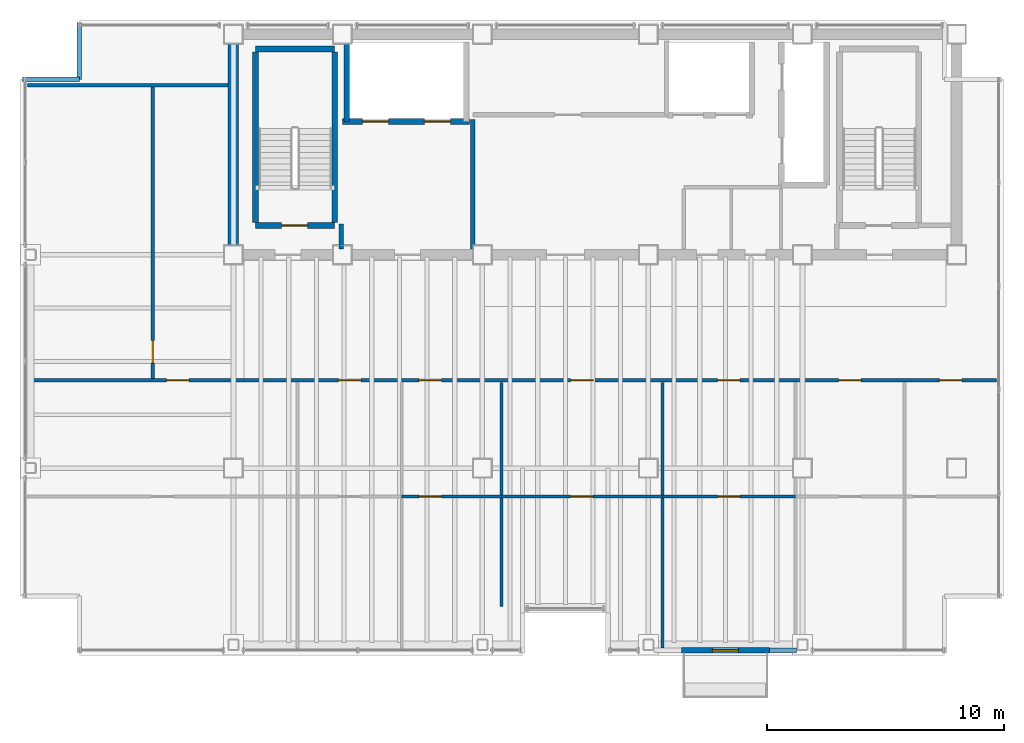
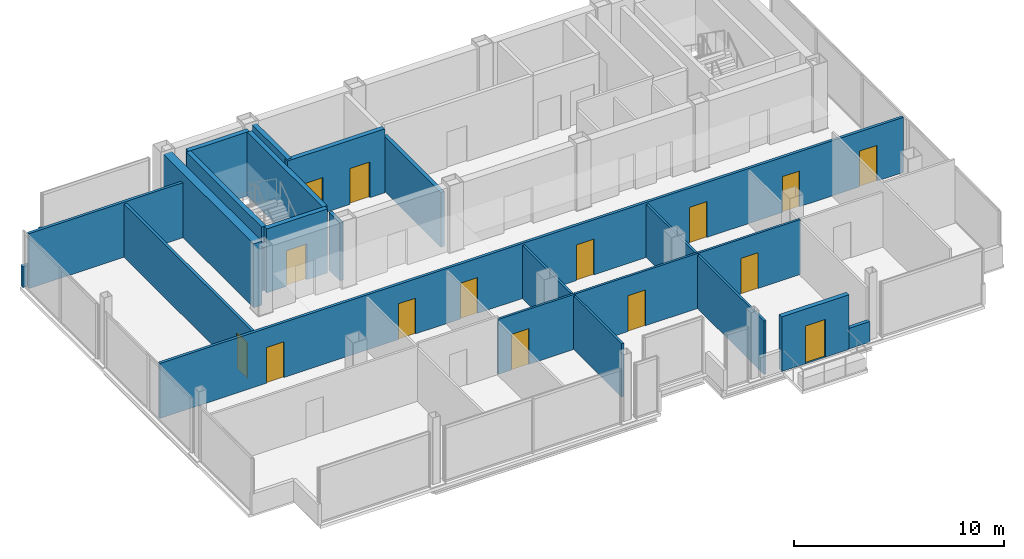
# One storey, part 14 of 17: 21 walls, 15 doors, 15 openings.
"""IFC4 building model written with IfcOpenShell, lengths in metres."""

from ifc_helpers import new_model, si_unit, direction, frame, frame_2d, origin, place, context, subcontext, project, spatial, rectangle, extrude, material, layer, layer_set, type_object, element, fill, save


model = new_model("IFC4")

# Units and contexts
model_context = context("Model", 3, precision=1e-05, world=origin(), true_north=direction((0.0, 1.0)))
body_context = subcontext(model_context, "Body", "Model", "MODEL_VIEW")
ifc_project = project(units=[si_unit("LENGTHUNIT", "METRE"), si_unit("AREAUNIT", "SQUARE_METRE"), si_unit("VOLUMEUNIT", "CUBIC_METRE"), si_unit("PLANEANGLEUNIT", "RADIAN"), si_unit("MASSUNIT", "GRAM", prefix="KILO")], contexts=[model_context])

# Site, building, storey
site_placement = place(None, origin())
site = spatial("IfcSite", under=ifc_project, at=site_placement, CompositionType="ELEMENT")
building_placement = place(site_placement, origin())
building = spatial("IfcBuilding", under=site, at=building_placement, Name="Noeulbin Bourse Tower", CompositionType="ELEMENT")
storey_placement = place(building_placement, frame((0.0, 0.0, 242.300048828125)))
storey = spatial("IfcBuildingStorey", under=building, at=storey_placement, Name="L60", CompositionType="ELEMENT", Elevation=242.300048828125)

# Wall
ifc_material_1 = material(Name="Concrete C50/60", Category="concrete")
ifc_layer_1 = layer(ifc_material_1, 0.449951171875)
ifc_layer_set_1 = layer_set([ifc_layer_1], Name="Concrete C50/60")
wall_type_1 = type_object("IfcWallType", Name="WAL-CORE-450", PredefinedType="SHEAR", material=ifc_layer_set_1)
wall_1_placement = place(storey_placement, frame((13.5, 29.35009765625, 0.0), z_axis=(0.0, 0.0, 1.0), x_axis=(0.0, 1.0, 0.0)))
element("IfcWall", 1, at=wall_1_placement, inside=storey, type_object=wall_type_1, Name="Rear Core West Shear Wall L60", PredefinedType="SHEAR", context=body_context, shape_type="SweptSolid", body=[
    extrude(rectangle(XDim=8.599853515625, YDim=0.449951171875, at=frame_2d((4.2998046875, 0.0))), origin(), (0.0, 0.0, 1.0), 3.719970703125),
])

# Wall, opening, door
ifc_material_2 = material(Name="Precast Concrete C40/50", Category="concrete")
ifc_layer_2 = layer(ifc_material_2, 0.25)
ifc_layer_set_2 = layer_set([ifc_layer_2], Name="Precast Concrete C40/50")
wall_type_2 = type_object("IfcWallType", Name="WAL-EXT-250", PredefinedType="STANDARD", material=ifc_layer_set_2)
wall_2_placement = place(storey_placement, frame((32.39990234375, 12.320068359375, 0.0), z_axis=(0.0, 0.0, 1.0), x_axis=(1.0, 0.0, 0.0)))
wall_2 = element("IfcWall", 2, at=wall_2_placement, inside=storey, type_object=wall_type_2, Name="Balcony Threshold Wall L60", PredefinedType="STANDARD", context=body_context, shape_type="SweptSolid", body=[
    extrude(rectangle(XDim=3.7001953125, YDim=0.25, at=frame_2d((1.85009765625, 0.0))), origin(), (0.0, 0.0, 1.0), 3.179931640625),
])
opening_1_placement = place(wall_2_placement, frame((1.300048828125, 0.0, 0.0)))
opening_1 = element("IfcOpeningElement", 3, at=opening_1_placement, cuts=wall_2, Name="Opening BD-11", PredefinedType="OPENING", context=body_context, shape_type="SweptSolid", body=[
    extrude(rectangle(XDim=1.10009765625, YDim=2.199951171875, at=frame_2d((0.550048828125, 1.10009765625))), frame((0.0, 0.135009765625, 0.0), z_axis=(0.0, -1.0, 0.0), x_axis=(1.0, 0.0, 0.0)), (0.0, 0.0, 1.0), 0.27001953125),
])
ifc_material_3 = material(Name="Thermally Broken Aluminium Framed Glass", Category="aluminium")
door_type_1 = type_object("IfcDoorType", Name="DR-BAL-1100", OperationType="SINGLE_SWING_LEFT", PredefinedType="DOOR", material=ifc_material_3)
door_1_placement = place(opening_1_placement, origin())
door_1 = element("IfcDoor", 4, at=door_1_placement, inside=storey, type_object=door_type_1, Name="Tree-Balcony Access Door BD-L60", OperationType="SINGLE_SWING_RIGHT", OverallHeight=2.199951171875, OverallWidth=1.10009765625, PredefinedType="DOOR", context=body_context, shape_type="SweptSolid", body=[
    extrude(rectangle(XDim=1.10009765625, YDim=2.199951171875, at=frame_2d((0.550048828125, 1.10009765625))), frame((0.0, 0.02490234375, 0.0), z_axis=(0.0, -1.0, 0.0), x_axis=(1.0, 0.0, 0.0)), (0.0, 0.0, 1.0), 0.050048828125),
])
fill(opening_1, door_1)

# Walls
ifc_material_4 = material(Name="Concrete C40/50", Category="concrete")
ifc_layer_3 = layer(ifc_material_4, 0.199951171875)
ifc_layer_set_3 = layer_set([ifc_layer_3], Name="Concrete C40/50")
wall_type_3 = type_object("IfcWallType", Name="WAL-FIRE-200", PredefinedType="STANDARD", material=ifc_layer_set_3)
wall_3_placement = place(storey_placement, frame((18.050048828125, 29.235107421875, 0.0), z_axis=(0.0, 0.0, 1.0), x_axis=(0.0, 1.0, 0.0)))
element("IfcWall", 5, at=wall_3_placement, inside=storey, type_object=wall_type_3, Name="Interior Partition Wall L60-13", PredefinedType="STANDARD", context=body_context, shape_type="SweptSolid", body=[
    extrude(rectangle(XDim=1.06494140625, YDim=0.199951171875, at=frame_2d((0.532470703125, 0.0))), origin(), (0.0, 0.0, 1.0), 3.349853515625),
])
wall_4_placement = place(storey_placement, frame((23.60009765625, 29.235107421875, 0.0), z_axis=(0.0, 0.0, 1.0), x_axis=(0.0, 1.0, 0.0)))
element("IfcWall", 6, at=wall_4_placement, inside=storey, type_object=wall_type_3, Name="Interior Partition Wall L60-15", PredefinedType="STANDARD", context=body_context, shape_type="SweptSolid", body=[
    extrude(rectangle(XDim=5.46484375, YDim=0.199951171875, at=frame_2d((2.732421875, 0.0))), origin(), (0.0, 0.0, 1.0), 3.199951171875),
])
ifc_layer_4 = layer(ifc_material_4, 0.199951171875)
ifc_layer_set_4 = layer_set([ifc_layer_4], Name="Concrete C40/50")
wall_type_4 = type_object("IfcWallType", Name="WAL-PAR-200", PredefinedType="PARAPET", material=ifc_layer_set_4)
wall_5_placement = place(storey_placement, frame((36.10009765625, 12.320068359375, 0.0), z_axis=(0.0, 0.0, 1.0), x_axis=(1.0, 0.0, 0.0)))
element("IfcWall", 7, at=wall_5_placement, inside=storey, type_object=wall_type_4, Name="Perimeter Pier Spandrel Parapet L60-S2", PredefinedType="PARAPET", context=body_context, shape_type="SweptSolid", body=[
    extrude(rectangle(XDim=1.15478515625, YDim=0.199951171875, at=frame_2d((0.577392578125, 0.0))), origin(), (0.0, 0.0, 1.0), 1.199951171875),
])
wall_6_placement = place(storey_placement, frame((4.60009765625, 36.39990234375, 0.0), z_axis=(0.0, 0.0, 1.0), x_axis=(1.0, 0.0, 0.0)))
element("IfcWall", 8, at=wall_6_placement, inside=storey, type_object=wall_type_4, Name="Corner Notch Parapet L60-NW1", PredefinedType="PARAPET", context=body_context, shape_type="SweptSolid", body=[
    extrude(rectangle(XDim=2.39990234375, YDim=0.199951171875, at=frame_2d((1.199951171875, 0.0))), origin(), (0.0, 0.0, 1.0), 1.199951171875),
])
wall_7_placement = place(storey_placement, frame((7.0, 36.39990234375, 0.0), z_axis=(0.0, 0.0, 1.0), x_axis=(0.0, 1.0, 0.0)))
element("IfcWall", 9, at=wall_7_placement, inside=storey, type_object=wall_type_4, Name="Corner Notch Parapet L60-NW2", PredefinedType="PARAPET", context=body_context, shape_type="SweptSolid", body=[
    extrude(rectangle(XDim=2.400146484375, YDim=0.199951171875, at=frame_2d((1.2001953125, 0.0))), origin(), (0.0, 0.0, 1.0), 1.199951171875),
])

# Wall, opening, door
ifc_material_5 = material(Name="Steel Stud Gypsum Partition", Category="steel")
ifc_layer_5 = layer(ifc_material_5, 0.1201171875)
ifc_layer_set_5 = layer_set([ifc_layer_5], Name="Steel Stud Gypsum Partition")
wall_type_5 = type_object("IfcWallType", Name="WAL-PRT-120", PredefinedType="PARTITIONING", material=ifc_layer_set_5)
wall_8_placement = place(storey_placement, frame((20.60009765625, 18.800048828125, 0.0), z_axis=(0.0, 0.0, 1.0), x_axis=(1.0, 0.0, 0.0)))
wall_8 = element("IfcWall", 10, at=wall_8_placement, inside=storey, type_object=wall_type_5, Name="Interior Partition Wall L60-08", PredefinedType="PARTITIONING", context=body_context, shape_type="SweptSolid", body=[
    extrude(rectangle(XDim=4.199951171875, YDim=0.1201171875, at=frame_2d((2.10009765625, 0.0))), origin(), (0.0, 0.0, 1.0), 3.199951171875),
])
opening_2_placement = place(wall_8_placement, frame((0.72509765625, 0.0, 0.0)))
opening_2 = element("IfcOpeningElement", 11, at=opening_2_placement, cuts=wall_8, Name="Opening ID-09", PredefinedType="OPENING", context=body_context, shape_type="SweptSolid", body=[
    extrude(rectangle(XDim=0.949951171875, YDim=2.080078125, at=frame_2d((0.47509765625, 1.0400390625))), frame((0.0, 0.070068359375, 0.0), z_axis=(0.0, -1.0, 0.0), x_axis=(1.0, 0.0, 0.0)), (0.0, 0.0, 1.0), 0.14013671875),
])
ifc_material_6 = material(Name="Acoustic Solid-Core Timber", Category="wood")
door_type_2 = type_object("IfcDoorType", Name="DR-SINGLE-950", OperationType="SINGLE_SWING_LEFT", PredefinedType="DOOR", material=ifc_material_6)
door_2_placement = place(opening_2_placement, origin())
door_2 = element("IfcDoor", 12, at=door_2_placement, inside=storey, type_object=door_type_2, Name="Interior Door L60-12", OperationType="SINGLE_SWING_RIGHT", OverallHeight=2.080078125, OverallWidth=0.949951171875, PredefinedType="DOOR", context=body_context, shape_type="SweptSolid", body=[
    extrude(rectangle(XDim=0.949951171875, YDim=2.080078125, at=frame_2d((0.47509765625, 1.0400390625))), frame((0.0, 0.02490234375, 0.0), z_axis=(0.0, -1.0, 0.0), x_axis=(1.0, 0.0, 0.0)), (0.0, 0.0, 1.0), 0.050048828125),
])
fill(opening_2, door_2)

wall_9_placement = place(storey_placement, frame((24.800048828125, 18.800048828125, 0.0), z_axis=(0.0, 0.0, 1.0), x_axis=(1.0, 0.0, 0.0)))
wall_9 = element("IfcWall", 13, at=wall_9_placement, inside=storey, type_object=wall_type_5, Name="Interior Partition Wall L60-09", PredefinedType="PARTITIONING", context=body_context, shape_type="SweptSolid", body=[
    extrude(rectangle(XDim=6.800048828125, YDim=0.1201171875, at=frame_2d((3.39990234375, 0.0))), origin(), (0.0, 0.0, 1.0), 3.199951171875),
])
opening_3_placement = place(wall_9_placement, frame((2.925048828125, 0.0, 0.0)))
opening_3 = element("IfcOpeningElement", 14, at=opening_3_placement, cuts=wall_9, Name="Opening ID-09", PredefinedType="OPENING", context=body_context, shape_type="SweptSolid", body=[
    extrude(rectangle(XDim=0.949951171875, YDim=2.080078125, at=frame_2d((0.47509765625, 1.0400390625))), frame((0.0, 0.070068359375, 0.0), z_axis=(0.0, -1.0, 0.0), x_axis=(1.0, 0.0, 0.0)), (0.0, 0.0, 1.0), 0.14013671875),
])
door_3_placement = place(opening_3_placement, origin())
door_3 = element("IfcDoor", 15, at=door_3_placement, inside=storey, type_object=door_type_2, Name="Interior Door L60-14", OperationType="SINGLE_SWING_RIGHT", OverallHeight=2.080078125, OverallWidth=0.949951171875, PredefinedType="DOOR", context=body_context, shape_type="SweptSolid", body=[
    extrude(rectangle(XDim=0.949951171875, YDim=2.080078125, at=frame_2d((0.47509765625, 1.0400390625))), frame((0.0, 0.02490234375, 0.0), z_axis=(0.0, -1.0, 0.0), x_axis=(1.0, 0.0, 0.0)), (0.0, 0.0, 1.0), 0.050048828125),
])
fill(opening_3, door_3)

wall_10_placement = place(storey_placement, frame((31.60009765625, 18.800048828125, 0.0), z_axis=(0.0, 0.0, 1.0), x_axis=(1.0, 0.0, 0.0)))
wall_10 = element("IfcWall", 16, at=wall_10_placement, inside=storey, type_object=wall_type_5, Name="Interior Partition Wall L60-10", PredefinedType="PARTITIONING", context=body_context, shape_type="SweptSolid", body=[
    extrude(rectangle(XDim=5.599853515625, YDim=0.1201171875, at=frame_2d((2.7998046875, 0.0))), origin(), (0.0, 0.0, 1.0), 3.199951171875),
])
opening_4_placement = place(wall_10_placement, frame((2.324951171875, 0.0, 0.0)))
opening_4 = element("IfcOpeningElement", 17, at=opening_4_placement, cuts=wall_10, Name="Opening ID-09", PredefinedType="OPENING", context=body_context, shape_type="SweptSolid", body=[
    extrude(rectangle(XDim=0.949951171875, YDim=2.080078125, at=frame_2d((0.47509765625, 1.0400390625))), frame((0.0, 0.070068359375, 0.0), z_axis=(0.0, -1.0, 0.0), x_axis=(1.0, 0.0, 0.0)), (0.0, 0.0, 1.0), 0.14013671875),
])
door_4_placement = place(opening_4_placement, origin())
door_4 = element("IfcDoor", 18, at=door_4_placement, inside=storey, type_object=door_type_2, Name="Interior Door L60-16", OperationType="SINGLE_SWING_RIGHT", OverallHeight=2.080078125, OverallWidth=0.949951171875, PredefinedType="DOOR", context=body_context, shape_type="SweptSolid", body=[
    extrude(rectangle(XDim=0.949951171875, YDim=2.080078125, at=frame_2d((0.47509765625, 1.0400390625))), frame((0.0, 0.02490234375, 0.0), z_axis=(0.0, -1.0, 0.0), x_axis=(1.0, 0.0, 0.0)), (0.0, 0.0, 1.0), 0.050048828125),
])
fill(opening_4, door_4)

# Walls
wall_11_placement = place(storey_placement, frame((24.800048828125, 14.169921875, 0.0), z_axis=(0.0, 0.0, 1.0), x_axis=(0.0, 1.0, 0.0)))
element("IfcWall", 19, at=wall_11_placement, inside=storey, type_object=wall_type_5, Name="Interior Partition Wall L60-22", PredefinedType="PARTITIONING", context=body_context, shape_type="SweptSolid", body=[
    extrude(rectangle(XDim=9.445068359375, YDim=0.1201171875, at=frame_2d((4.72265625, 0.0))), origin(), (0.0, 0.0, 1.0), 3.099853515625),
])
wall_12_placement = place(storey_placement, frame((31.60009765625, 12.409912109375, 0.0), z_axis=(0.0, 0.0, 1.0), x_axis=(0.0, 1.0, 0.0)))
element("IfcWall", 20, at=wall_12_placement, inside=storey, type_object=wall_type_5, Name="Interior Partition Wall L60-23", PredefinedType="PARTITIONING", context=body_context, shape_type="SweptSolid", body=[
    extrude(rectangle(XDim=11.205078125, YDim=0.1201171875, at=frame_2d((5.6025390625, 0.0))), origin(), (0.0, 0.0, 1.0), 3.099853515625),
])

# Wall, openings, doors
ifc_material_7 = material(Name="Steel Stud Acoustic Gypsum Board", Category="steel")
ifc_layer_6 = layer(ifc_material_7, 0.14990234375)
ifc_layer_set_6 = layer_set([ifc_layer_6], Name="Steel Stud Acoustic Gypsum Board")
wall_type_6 = type_object("IfcWallType", Name="WAL-PRT-150", PredefinedType="PARTITIONING", material=ifc_layer_set_6)
wall_13_placement = place(storey_placement, frame((4.81005859375, 23.699951171875, 0.0), z_axis=(0.0, 0.0, 1.0), x_axis=(1.0, 0.0, 0.0)))
wall_13 = element("IfcWall", 21, at=wall_13_placement, inside=storey, type_object=wall_type_6, Name="Interior Partition Wall L60-04", PredefinedType="PARTITIONING", context=body_context, shape_type="SweptSolid", body=[
    extrude(rectangle(XDim=40.8798828125, YDim=0.14990234375, at=frame_2d((20.43994140625, 0.0))), origin(), (0.0, 0.0, 1.0), 3.199951171875),
])
opening_5_placement = place(wall_13_placement, frame((5.864990234375, 0.0, 0.0)))
opening_5 = element("IfcOpeningElement", 22, at=opening_5_placement, cuts=wall_13, Name="Opening ID-09", PredefinedType="OPENING", context=body_context, shape_type="SweptSolid", body=[
    extrude(rectangle(XDim=0.949951171875, YDim=2.080078125, at=frame_2d((0.47509765625, 1.0400390625))), frame((0.0, 0.0849609375, 0.0), z_axis=(0.0, -1.0, 0.0), x_axis=(1.0, 0.0, 0.0)), (0.0, 0.0, 1.0), 0.169921875),
])
opening_6_placement = place(wall_13_placement, frame((13.114990234375, 0.0, 0.0)))
opening_6 = element("IfcOpeningElement", 23, at=opening_6_placement, cuts=wall_13, Name="Opening ID-09", PredefinedType="OPENING", context=body_context, shape_type="SweptSolid", body=[
    extrude(rectangle(XDim=0.949951171875, YDim=2.080078125, at=frame_2d((0.47509765625, 1.0400390625))), frame((0.0, 0.0849609375, 0.0), z_axis=(0.0, -1.0, 0.0), x_axis=(1.0, 0.0, 0.0)), (0.0, 0.0, 1.0), 0.169921875),
])
opening_7_placement = place(wall_13_placement, frame((16.514892578125, 0.0, 0.0)))
opening_7 = element("IfcOpeningElement", 24, at=opening_7_placement, cuts=wall_13, Name="Opening ID-09", PredefinedType="OPENING", context=body_context, shape_type="SweptSolid", body=[
    extrude(rectangle(XDim=0.949951171875, YDim=2.080078125, at=frame_2d((0.47509765625, 1.0400390625))), frame((0.0, 0.0849609375, 0.0), z_axis=(0.0, -1.0, 0.0), x_axis=(1.0, 0.0, 0.0)), (0.0, 0.0, 1.0), 0.169921875),
])
opening_8_placement = place(wall_13_placement, frame((22.9150390625, 0.0, 0.0)))
opening_8 = element("IfcOpeningElement", 25, at=opening_8_placement, cuts=wall_13, Name="Opening ID-09", PredefinedType="OPENING", context=body_context, shape_type="SweptSolid", body=[
    extrude(rectangle(XDim=0.949951171875, YDim=2.080078125, at=frame_2d((0.47509765625, 1.0400390625))), frame((0.0, 0.0849609375, 0.0), z_axis=(0.0, -1.0, 0.0), x_axis=(1.0, 0.0, 0.0)), (0.0, 0.0, 1.0), 0.169921875),
])
opening_9_placement = place(wall_13_placement, frame((29.114990234375, 0.0, 0.0)))
opening_9 = element("IfcOpeningElement", 26, at=opening_9_placement, cuts=wall_13, Name="Opening ID-09", PredefinedType="OPENING", context=body_context, shape_type="SweptSolid", body=[
    extrude(rectangle(XDim=0.949951171875, YDim=2.080078125, at=frame_2d((0.47509765625, 1.0400390625))), frame((0.0, 0.0849609375, 0.0), z_axis=(0.0, -1.0, 0.0), x_axis=(1.0, 0.0, 0.0)), (0.0, 0.0, 1.0), 0.169921875),
])
opening_10_placement = place(wall_13_placement, frame((34.215087890625, 0.0, 0.0)))
opening_10 = element("IfcOpeningElement", 27, at=opening_10_placement, cuts=wall_13, Name="Opening ID-09", PredefinedType="OPENING", context=body_context, shape_type="SweptSolid", body=[
    extrude(rectangle(XDim=0.949951171875, YDim=2.080078125, at=frame_2d((0.47509765625, 1.0400390625))), frame((0.0, 0.0849609375, 0.0), z_axis=(0.0, -1.0, 0.0), x_axis=(1.0, 0.0, 0.0)), (0.0, 0.0, 1.0), 0.169921875),
])
opening_11_placement = place(wall_13_placement, frame((38.4599609375, 0.0, 0.0)))
opening_11 = element("IfcOpeningElement", 28, at=opening_11_placement, cuts=wall_13, Name="Opening ID-09", PredefinedType="OPENING", context=body_context, shape_type="SweptSolid", body=[
    extrude(rectangle(XDim=0.949951171875, YDim=2.080078125, at=frame_2d((0.47509765625, 1.0400390625))), frame((0.0, 0.0849609375, 0.0), z_axis=(0.0, -1.0, 0.0), x_axis=(1.0, 0.0, 0.0)), (0.0, 0.0, 1.0), 0.169921875),
])
door_5_placement = place(opening_5_placement, origin())
door_5 = element("IfcDoor", 29, at=door_5_placement, inside=storey, type_object=door_type_2, Name="Interior Door L60-09", OperationType="SINGLE_SWING_LEFT", OverallHeight=2.080078125, OverallWidth=0.949951171875, PredefinedType="DOOR", context=body_context, shape_type="SweptSolid", body=[
    extrude(rectangle(XDim=0.949951171875, YDim=2.080078125, at=frame_2d((0.47509765625, 1.0400390625))), frame((0.0, 0.02490234375, 0.0), z_axis=(0.0, -1.0, 0.0), x_axis=(1.0, 0.0, 0.0)), (0.0, 0.0, 1.0), 0.050048828125),
])
fill(opening_5, door_5)
door_6_placement = place(opening_6_placement, origin())
door_6 = element("IfcDoor", 30, at=door_6_placement, inside=storey, type_object=door_type_2, Name="Interior Door L60-11", OperationType="SINGLE_SWING_LEFT", OverallHeight=2.080078125, OverallWidth=0.949951171875, PredefinedType="DOOR", context=body_context, shape_type="SweptSolid", body=[
    extrude(rectangle(XDim=0.949951171875, YDim=2.080078125, at=frame_2d((0.47509765625, 1.0400390625))), frame((0.0, 0.02490234375, 0.0), z_axis=(0.0, -1.0, 0.0), x_axis=(1.0, 0.0, 0.0)), (0.0, 0.0, 1.0), 0.050048828125),
])
fill(opening_6, door_6)
door_7_placement = place(opening_7_placement, origin())
door_7 = element("IfcDoor", 31, at=door_7_placement, inside=storey, type_object=door_type_2, Name="Interior Door L60-13", OperationType="SINGLE_SWING_LEFT", OverallHeight=2.080078125, OverallWidth=0.949951171875, PredefinedType="DOOR", context=body_context, shape_type="SweptSolid", body=[
    extrude(rectangle(XDim=0.949951171875, YDim=2.080078125, at=frame_2d((0.47509765625, 1.0400390625))), frame((0.0, 0.02490234375, 0.0), z_axis=(0.0, -1.0, 0.0), x_axis=(1.0, 0.0, 0.0)), (0.0, 0.0, 1.0), 0.050048828125),
])
fill(opening_7, door_7)
door_8_placement = place(opening_8_placement, origin())
door_8 = element("IfcDoor", 32, at=door_8_placement, inside=storey, type_object=door_type_2, Name="Interior Door L60-15", OperationType="SINGLE_SWING_LEFT", OverallHeight=2.080078125, OverallWidth=0.949951171875, PredefinedType="DOOR", context=body_context, shape_type="SweptSolid", body=[
    extrude(rectangle(XDim=0.949951171875, YDim=2.080078125, at=frame_2d((0.47509765625, 1.0400390625))), frame((0.0, 0.02490234375, 0.0), z_axis=(0.0, -1.0, 0.0), x_axis=(1.0, 0.0, 0.0)), (0.0, 0.0, 1.0), 0.050048828125),
])
fill(opening_8, door_8)
door_9_placement = place(opening_9_placement, origin())
door_9 = element("IfcDoor", 33, at=door_9_placement, inside=storey, type_object=door_type_2, Name="Interior Door L60-17", OperationType="SINGLE_SWING_LEFT", OverallHeight=2.080078125, OverallWidth=0.949951171875, PredefinedType="DOOR", context=body_context, shape_type="SweptSolid", body=[
    extrude(rectangle(XDim=0.949951171875, YDim=2.080078125, at=frame_2d((0.47509765625, 1.0400390625))), frame((0.0, 0.02490234375, 0.0), z_axis=(0.0, -1.0, 0.0), x_axis=(1.0, 0.0, 0.0)), (0.0, 0.0, 1.0), 0.050048828125),
])
fill(opening_9, door_9)
door_10_placement = place(opening_10_placement, origin())
door_10 = element("IfcDoor", 34, at=door_10_placement, inside=storey, type_object=door_type_2, Name="Interior Door L60-19", OperationType="SINGLE_SWING_LEFT", OverallHeight=2.080078125, OverallWidth=0.949951171875, PredefinedType="DOOR", context=body_context, shape_type="SweptSolid", body=[
    extrude(rectangle(XDim=0.949951171875, YDim=2.080078125, at=frame_2d((0.47509765625, 1.0400390625))), frame((0.0, 0.02490234375, 0.0), z_axis=(0.0, -1.0, 0.0), x_axis=(1.0, 0.0, 0.0)), (0.0, 0.0, 1.0), 0.050048828125),
])
fill(opening_10, door_10)
door_11_placement = place(opening_11_placement, origin())
door_11 = element("IfcDoor", 35, at=door_11_placement, inside=storey, type_object=door_type_2, Name="Interior Door L60-21", OperationType="SINGLE_SWING_LEFT", OverallHeight=2.080078125, OverallWidth=0.949951171875, PredefinedType="DOOR", context=body_context, shape_type="SweptSolid", body=[
    extrude(rectangle(XDim=0.949951171875, YDim=2.080078125, at=frame_2d((0.47509765625, 1.0400390625))), frame((0.0, 0.02490234375, 0.0), z_axis=(0.0, -1.0, 0.0), x_axis=(1.0, 0.0, 0.0)), (0.0, 0.0, 1.0), 0.050048828125),
])
fill(opening_11, door_11)

# Wall
wall_14_placement = place(storey_placement, frame((4.81005859375, 36.14990234375, 0.0), z_axis=(0.0, 0.0, 1.0), x_axis=(1.0, 0.0, 0.0)))
element("IfcWall", 36, at=wall_14_placement, inside=storey, type_object=wall_type_6, Name="Interior Partition Wall L60-05", PredefinedType="PARTITIONING", context=body_context, shape_type="SweptSolid", body=[
    extrude(rectangle(XDim=8.454833984375, YDim=0.14990234375, at=frame_2d((4.2275390625, 0.0))), origin(), (0.0, 0.0, 1.0), 3.199951171875),
])

# Wall, opening, door
wall_15_placement = place(storey_placement, frame((10.10009765625, 23.784912109375, 0.0), z_axis=(0.0, 0.0, 1.0), x_axis=(0.0, 1.0, 0.0)))
wall_15 = element("IfcWall", 37, at=wall_15_placement, inside=storey, type_object=wall_type_6, Name="Interior Partition Wall L60-19", PredefinedType="PARTITIONING", context=body_context, shape_type="SweptSolid", body=[
    extrude(rectangle(XDim=12.280029296875, YDim=0.14990234375, at=frame_2d((6.14013671875, 0.0))), origin(), (0.0, 0.0, 1.0), 3.099853515625),
])
opening_12_placement = place(wall_15_placement, frame((0.639892578125, 0.0, 0.0)))
opening_12 = element("IfcOpeningElement", 38, at=opening_12_placement, cuts=wall_15, Name="Opening ID-09", PredefinedType="OPENING", context=body_context, shape_type="SweptSolid", body=[
    extrude(rectangle(XDim=0.949951171875, YDim=2.080078125, at=frame_2d((0.47509765625, 1.0400390625))), frame((0.0, 0.0849609375, 0.0), z_axis=(0.0, -1.0, 0.0), x_axis=(1.0, 0.0, 0.0)), (0.0, 0.0, 1.0), 0.169921875),
])
door_12_placement = place(opening_12_placement, origin())
door_12 = element("IfcDoor", 39, at=door_12_placement, inside=storey, type_object=door_type_2, Name="Interior Door L60-22", OperationType="SINGLE_SWING_RIGHT", OverallHeight=2.080078125, OverallWidth=0.949951171875, PredefinedType="DOOR", context=body_context, shape_type="SweptSolid", body=[
    extrude(rectangle(XDim=0.949951171875, YDim=2.080078125, at=frame_2d((0.47509765625, 1.0400390625))), frame((0.0, 0.02490234375, 0.0), z_axis=(0.0, -1.0, 0.0), x_axis=(1.0, 0.0, 0.0)), (0.0, 0.0, 1.0), 0.050048828125),
])
fill(opening_12, door_12)

ifc_layer_7 = layer(ifc_material_4, 0.25)
ifc_layer_set_7 = layer_set([ifc_layer_7], Name="Concrete C40/50")
wall_type_7 = type_object("IfcWallType", Name="WAL-SHFT-250", PredefinedType="STANDARD", material=ifc_layer_set_7)
wall_16_placement = place(storey_placement, frame((14.429931640625, 30.235107421875, 0.0), z_axis=(0.0, 0.0, 1.0), x_axis=(1.0, 0.0, 0.0)))
wall_16 = element("IfcWall", 40, at=wall_16_placement, inside=storey, type_object=wall_type_7, Name="Stair ST-1 South Shaft Wall L60", PredefinedType="STANDARD", context=body_context, shape_type="SweptSolid", body=[
    extrude(rectangle(XDim=3.340087890625, YDim=0.25, at=frame_2d((1.669921875, 0.0))), origin(), (0.0, 0.0, 1.0), 3.719970703125),
])
opening_13_placement = place(wall_16_placement, frame((1.10009765625, 0.0, 0.0)))
opening_13 = element("IfcOpeningElement", 41, at=opening_13_placement, cuts=wall_16, Name="Opening FD-11", PredefinedType="OPENING", context=body_context, shape_type="SweptSolid", body=[
    extrude(rectangle(XDim=1.10009765625, YDim=2.080078125, at=frame_2d((0.550048828125, 1.0400390625))), frame((0.0, 0.135009765625, 0.0), z_axis=(0.0, -1.0, 0.0), x_axis=(1.0, 0.0, 0.0)), (0.0, 0.0, 1.0), 0.27001953125),
])
ifc_material_8 = material(Name="Fire-Rated Insulated Steel", Category="steel")
door_type_3 = type_object("IfcDoorType", Name="DR-FD60-1100", OperationType="SINGLE_SWING_LEFT", PredefinedType="DOOR", material=ifc_material_8)
door_13_placement = place(opening_13_placement, origin())
door_13 = element("IfcDoor", 42, at=door_13_placement, inside=storey, type_object=door_type_3, Name="Protected Stair Entry Door ST1-L60", OperationType="SINGLE_SWING_LEFT", OverallHeight=2.080078125, OverallWidth=1.10009765625, PredefinedType="DOOR", context=body_context, shape_type="SweptSolid", body=[
    extrude(rectangle(XDim=1.10009765625, YDim=2.080078125, at=frame_2d((0.550048828125, 1.0400390625))), frame((0.0, 0.02490234375, 0.0), z_axis=(0.0, -1.0, 0.0), x_axis=(1.0, 0.0, 0.0)), (0.0, 0.0, 1.0), 0.050048828125),
])
fill(opening_13, door_13)

# Walls
wall_17_placement = place(storey_placement, frame((14.429931640625, 37.6689453125, 0.0), z_axis=(0.0, 0.0, 1.0), x_axis=(1.0, 0.0, 0.0)))
element("IfcWall", 43, at=wall_17_placement, inside=storey, type_object=wall_type_7, Name="Stair ST-1 North Shaft Wall L60", PredefinedType="STANDARD", context=body_context, shape_type="SweptSolid", body=[
    extrude(rectangle(XDim=3.340087890625, YDim=0.25, at=frame_2d((1.669921875, 0.0))), origin(), (0.0, 0.0, 1.0), 3.719970703125),
])
for number, where, z_axis, x_axis, name in (
    (44, (14.425048828125, 30.360107421875, 0.0), (0.0, 0.0, 1.0), (0.0, 1.0, 0.0), "Stair ST-1 West Shaft Wall L60"),
    (45, (17.77490234375, 30.360107421875, 0.0), (0.0, 0.0, 1.0), (0.0, 1.0, 0.0), "Stair ST-1 East Shaft Wall L60"),
):
    element("IfcWall", number, at=place(storey_placement, frame(where, z_axis=z_axis, x_axis=x_axis)), inside=storey, type_object=wall_type_7, Name=name, PredefinedType="STANDARD", context=body_context, shape_type="SweptSolid", body=[
        extrude(rectangle(XDim=7.183837890625, YDim=0.25, at=frame_2d((3.591796875, 0.0))), origin(), (0.0, 0.0, 1.0), 3.719970703125),
    ])

# Wall, openings, doors
wall_18_placement = place(storey_placement, frame((18.10009765625, 34.6201171875, 0.0), z_axis=(0.0, 0.0, 1.0), x_axis=(1.0, 0.0, 0.0)))
wall_18 = element("IfcWall", 46, at=wall_18_placement, inside=storey, type_object=wall_type_7, Name="Firefighting Lift Shaft Front L60", PredefinedType="STANDARD", context=body_context, shape_type="SweptSolid", body=[
    extrude(rectangle(XDim=5.349853515625, YDim=0.25, at=frame_2d((2.6748046875, 0.0))), origin(), (0.0, 0.0, 1.0), 3.719970703125),
])
opening_14_placement = place(wall_18_placement, frame((0.85009765625, 0.0, 0.0)))
opening_14 = element("IfcOpeningElement", 47, at=opening_14_placement, cuts=wall_18, Name="Opening LD-11", PredefinedType="OPENING", context=body_context, shape_type="SweptSolid", body=[
    extrude(rectangle(XDim=1.10009765625, YDim=2.080078125, at=frame_2d((0.550048828125, 1.0400390625))), frame((0.0, 0.135009765625, 0.0), z_axis=(0.0, -1.0, 0.0), x_axis=(1.0, 0.0, 0.0)), (0.0, 0.0, 1.0), 0.27001953125),
])
opening_15_placement = place(wall_18_placement, frame((3.449951171875, 0.0, 0.0)))
opening_15 = element("IfcOpeningElement", 48, at=opening_15_placement, cuts=wall_18, Name="Opening LD-11", PredefinedType="OPENING", context=body_context, shape_type="SweptSolid", body=[
    extrude(rectangle(XDim=1.10009765625, YDim=2.080078125, at=frame_2d((0.550048828125, 1.0400390625))), frame((0.0, 0.135009765625, 0.0), z_axis=(0.0, -1.0, 0.0), x_axis=(1.0, 0.0, 0.0)), (0.0, 0.0, 1.0), 0.27001953125),
])
ifc_material_9 = material(Name="Brushed Stainless Steel 316", Category="steel")
door_type_4 = type_object("IfcDoorType", Name="DR-LIFT-1100", OperationType="SLIDING_TO_LEFT", PredefinedType="DOOR", material=ifc_material_9)
door_14_placement = place(opening_14_placement, origin())
door_14 = element("IfcDoor", 49, at=door_14_placement, inside=storey, type_object=door_type_4, Name="Lift Landing Door LD-FL-01-L60", OperationType="SLIDING_TO_LEFT", OverallHeight=2.080078125, OverallWidth=1.10009765625, PredefinedType="DOOR", context=body_context, shape_type="SweptSolid", body=[
    extrude(rectangle(XDim=1.10009765625, YDim=2.080078125, at=frame_2d((0.550048828125, 1.0400390625))), frame((0.0, 0.02490234375, 0.0), z_axis=(0.0, -1.0, 0.0), x_axis=(1.0, 0.0, 0.0)), (0.0, 0.0, 1.0), 0.050048828125),
])
fill(opening_14, door_14)
door_15_placement = place(opening_15_placement, origin())
door_15 = element("IfcDoor", 50, at=door_15_placement, inside=storey, type_object=door_type_4, Name="Lift Landing Door LD-FL-02-L60", OperationType="SLIDING_TO_LEFT", OverallHeight=2.080078125, OverallWidth=1.10009765625, PredefinedType="DOOR", context=body_context, shape_type="SweptSolid", body=[
    extrude(rectangle(XDim=1.10009765625, YDim=2.080078125, at=frame_2d((0.550048828125, 1.0400390625))), frame((0.0, 0.02490234375, 0.0), z_axis=(0.0, -1.0, 0.0), x_axis=(1.0, 0.0, 0.0)), (0.0, 0.0, 1.0), 0.050048828125),
])
fill(opening_15, door_15)

# Wall
wall_19_placement = place(storey_placement, frame((18.280029296875, 34.6201171875, 0.0), z_axis=(0.0, 0.0, 1.0), x_axis=(0.0, 1.0, 0.0)))
element("IfcWall", 51, at=wall_19_placement, inside=storey, type_object=wall_type_7, Name="Firefighting Lift West Shaft Wall L60", PredefinedType="STANDARD", context=body_context, shape_type="SweptSolid", body=[
    extrude(rectangle(XDim=3.329833984375, YDim=0.25, at=frame_2d((1.6650390625, 0.0))), origin(), (0.0, 0.0, 1.0), 3.719970703125),
])

save(model, "model.ifc")
